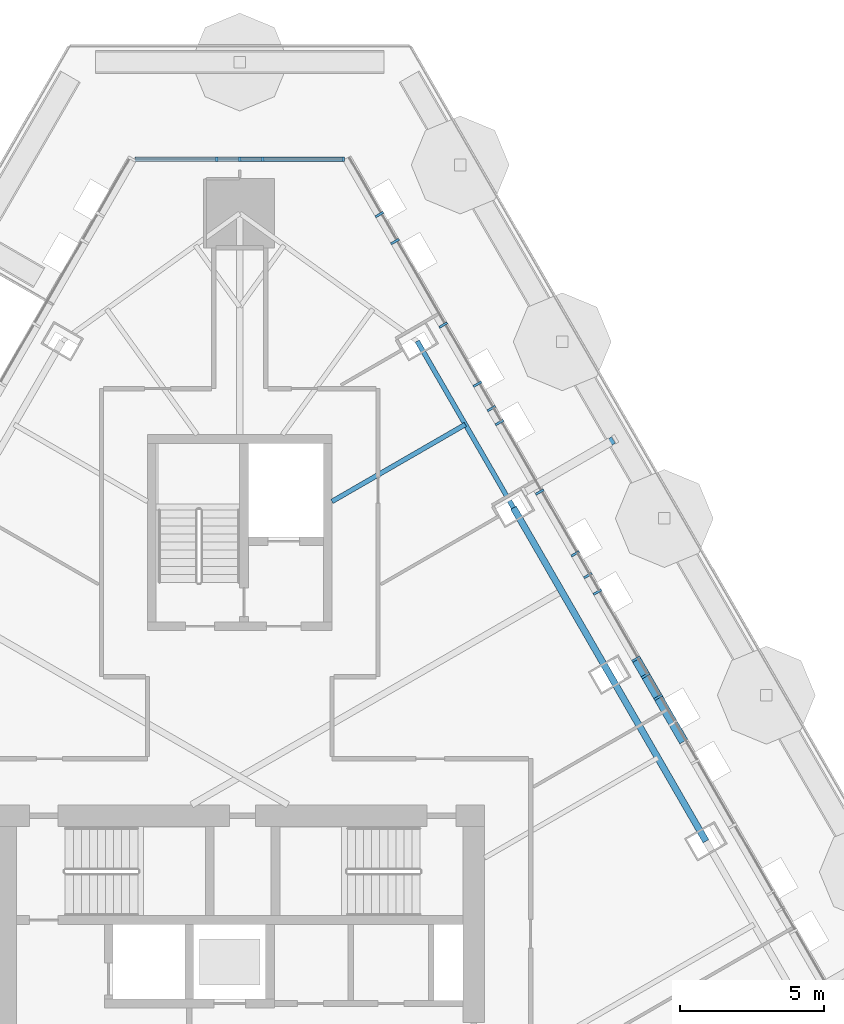
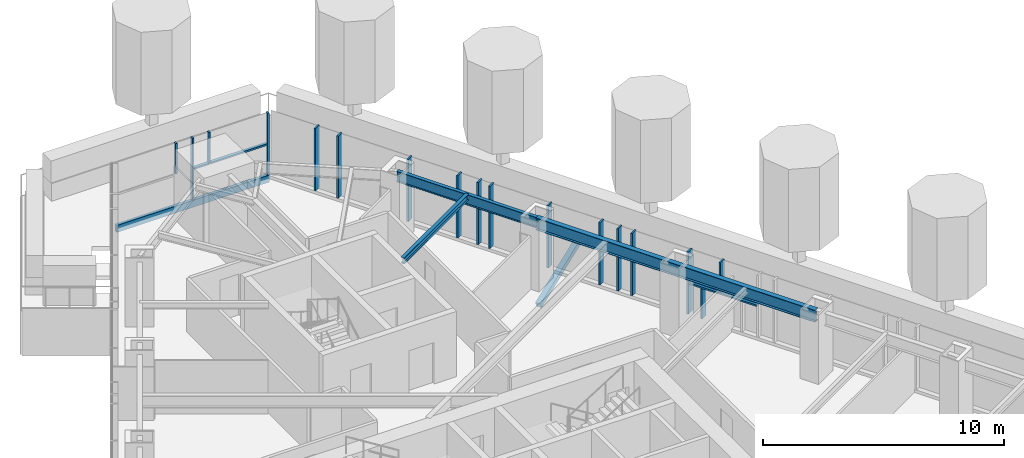
# One storey, part 7 of 24: 21 members, 3 beams, 2 elements without a shape of their own.
"""IFC4 building model written with IfcOpenShell, lengths in metres."""

from ifc_helpers import new_model, si_unit, direction, frame, origin, origin_2d, place, context, subcontext, project, spatial, rectangle, hollow_rectangle, i_section, extrude, material, layer, layer_set, material_profile, profile_set, type_object, element, aggregate, save


model = new_model("IFC4")

# Units and contexts
model_context = context("Model", 3, precision=1e-05, world=origin(), true_north=direction((0.0, 1.0)))
body_context = subcontext(model_context, "Body", "Model", "MODEL_VIEW")
ifc_project = project(units=[si_unit("LENGTHUNIT", "METRE"), si_unit("AREAUNIT", "SQUARE_METRE"), si_unit("VOLUMEUNIT", "CUBIC_METRE"), si_unit("PLANEANGLEUNIT", "RADIAN"), si_unit("MASSUNIT", "GRAM", prefix="KILO")], contexts=[model_context])

# Site, building, storey
site_placement = place(None, origin())
site = spatial("IfcSite", under=ifc_project, at=site_placement, CompositionType="ELEMENT")
building_placement = place(site_placement, origin())
building = spatial("IfcBuilding", under=site, at=building_placement, Name="Firuza Gate Tower and Library", CompositionType="ELEMENT")
storey_placement = place(building_placement, frame((0.0, 0.0, 267.10009765625)))
storey = spatial("IfcBuildingStorey", under=building, at=storey_placement, Name="L63", CompositionType="ELEMENT", Elevation=267.10009765625)

# Curtain wall, members
ifc_material_1 = material(Name="Aluminium 6063-T6", Category="aluminium")
ifc_layer_1 = layer(ifc_material_1, 0.14990234375)
ifc_layer_set_1 = layer_set([ifc_layer_1], Name="Corner curtain wall, chamfers")
curtain_wall_type_1 = type_object("IfcCurtainWallType", Name="Corner curtain wall, chamfers", PredefinedType="NOTDEFINED", material=ifc_layer_set_1)
placement = place(storey_placement, origin())
curtain_wall_1 = element("IfcCurtainWall", 1, at=placement, inside=storey, type_object=curtain_wall_type_1, Name="CW4 L63 N corner", PredefinedType="NOTDEFINED")
ifc_material_2 = material(Name="Aluminium 6063-T6", Category="aluminium")
ifc_material_profile_1 = material_profile(ifc_material_2, rectangle(XDim=0.14990234375, YDim=0.080078125, at=origin_2d()))
ifc_profile_set_1 = profile_set([ifc_material_profile_1], Name="Aluminium 6063-T6")
member_type_1 = type_object("IfcMemberType", Name="Curtain wall mullion 80x150", PredefinedType="MULLION", material=ifc_profile_set_1)
member_1_placement = place(storey_placement, frame((78.603271484375, 104.1611328125, 0.14990234375), z_axis=(0.0, 0.0, 1.0), x_axis=(0.0, -1.0, 0.0)))
member_1 = element("IfcMember", 2, at=member_1_placement, type_object=member_type_1, Name="Mullion", PredefinedType="MULLION", context=body_context, shape_type="SweptSolid", body=[
    extrude(rectangle(XDim=0.14990234375, YDim=0.080078125, at=origin_2d()), origin(), (0.0, 0.0, 1.0), 3.14990234375),
])
member_2_placement = place(storey_placement, frame((75.0, 104.1611328125, 0.14990234375), z_axis=(0.0, 0.0, 1.0), x_axis=(0.0, -1.0, 0.0)))
member_2 = element("IfcMember", 3, at=member_2_placement, type_object=member_type_1, Name="Mullion", PredefinedType="MULLION", context=body_context, shape_type="SweptSolid", body=[
    extrude(rectangle(XDim=0.14990234375, YDim=0.080078125, at=origin_2d()), origin(), (0.0, 0.0, 1.0), 3.14990234375),
])
member_3_placement = place(storey_placement, frame((75.794677734375, 104.1611328125, 1.764892578125), z_axis=(0.0, 0.0, 1.0), x_axis=(0.0, -1.0, 0.0)))
member_3 = element("IfcMember", 4, at=member_3_placement, type_object=member_type_1, Name="Mullion", PredefinedType="MULLION", context=body_context, shape_type="SweptSolid", body=[
    extrude(rectangle(XDim=0.14990234375, YDim=0.080078125, at=origin_2d()), origin(), (0.0, 0.0, 1.0), 1.534912109375),
])
member_4_placement = place(storey_placement, frame((74.205322265625, 104.1611328125, 1.764892578125), z_axis=(0.0, 0.0, 1.0), x_axis=(0.0, -1.0, 0.0)))
member_4 = element("IfcMember", 5, at=member_4_placement, type_object=member_type_1, Name="Mullion", PredefinedType="MULLION", context=body_context, shape_type="SweptSolid", body=[
    extrude(rectangle(XDim=0.14990234375, YDim=0.080078125, at=origin_2d()), origin(), (0.0, 0.0, 1.0), 1.534912109375),
])

ifc_material_3 = material(Name="Aluminium 6063-T6", Category="aluminium")
ifc_layer_2 = layer(ifc_material_3, 0.14990234375)
ifc_layer_set_2 = layer_set([ifc_layer_2], Name="Unitised curtain wall, residences")
curtain_wall_type_2 = type_object("IfcCurtainWallType", Name="Unitised curtain wall, residences", PredefinedType="NOTDEFINED", material=ifc_layer_set_2)
curtain_wall_2 = element("IfcCurtainWall", 6, at=placement, inside=storey, type_object=curtain_wall_type_2, Name="CW3 L63 E face", PredefinedType="NOTDEFINED")
ifc_material_4 = material(Name="Aluminium 6063-T6", Category="aluminium")
ifc_material_profile_2 = material_profile(ifc_material_4, rectangle(XDim=0.320068359375, YDim=0.080078125, at=origin_2d()))
ifc_profile_set_2 = profile_set([ifc_material_profile_2], Name="Aluminium 6063-T6")
member_type_2 = type_object("IfcMemberType", Name="Curtain wall mullion 80x320", PredefinedType="MULLION", material=ifc_profile_set_2)
member_5_placement = place(storey_placement, frame((88.759521484375, 86.809326171875, 0.14990234375), z_axis=(0.0, 0.0, 1.0), x_axis=(-0.866025403784, -0.5, 0.0)))
member_5 = element("IfcMember", 7, at=member_5_placement, type_object=member_type_2, Name="Mullion", PredefinedType="MULLION", context=body_context, shape_type="SweptSolid", body=[
    extrude(rectangle(XDim=0.320068359375, YDim=0.080078125, at=origin_2d()), origin(), (0.0, 0.0, 1.0), 3.14990234375),
])
member_6_placement = place(storey_placement, frame((87.085693359375, 89.70849609375, 0.14990234375), z_axis=(0.0, 0.0, 1.0), x_axis=(-0.866025403784, -0.5, 0.0)))
member_6 = element("IfcMember", 8, at=member_6_placement, type_object=member_type_2, Name="Mullion", PredefinedType="MULLION", context=body_context, shape_type="SweptSolid", body=[
    extrude(rectangle(XDim=0.320068359375, YDim=0.080078125, at=origin_2d()), origin(), (0.0, 0.0, 1.0), 3.14990234375),
])
member_7_placement = place(storey_placement, frame((85.411865234375, 92.607421875, 0.14990234375), z_axis=(0.0, 0.0, 1.0), x_axis=(-0.866025403784, -0.5, 0.0)))
member_7 = element("IfcMember", 9, at=member_7_placement, type_object=member_type_2, Name="Mullion", PredefinedType="MULLION", context=body_context, shape_type="SweptSolid", body=[
    extrude(rectangle(XDim=0.320068359375, YDim=0.080078125, at=origin_2d()), origin(), (0.0, 0.0, 1.0), 3.14990234375),
])
member_8_placement = place(storey_placement, frame((83.73828125, 95.506591796875, 0.14990234375), z_axis=(0.0, 0.0, 1.0), x_axis=(-0.866025403784, -0.5, 0.0)))
member_8 = element("IfcMember", 10, at=member_8_placement, type_object=member_type_2, Name="Mullion", PredefinedType="MULLION", context=body_context, shape_type="SweptSolid", body=[
    extrude(rectangle(XDim=0.320068359375, YDim=0.080078125, at=origin_2d()), origin(), (0.0, 0.0, 1.0), 3.14990234375),
])
member_9_placement = place(storey_placement, frame((82.064453125, 98.405517578125, 0.14990234375), z_axis=(0.0, 0.0, 1.0), x_axis=(-0.866025403784, -0.5, 0.0)))
member_9 = element("IfcMember", 11, at=member_9_placement, type_object=member_type_2, Name="Mullion", PredefinedType="MULLION", context=body_context, shape_type="SweptSolid", body=[
    extrude(rectangle(XDim=0.320068359375, YDim=0.080078125, at=origin_2d()), origin(), (0.0, 0.0, 1.0), 3.14990234375),
])
member_10_placement = place(storey_placement, frame((80.390625, 101.3046875, 0.14990234375), z_axis=(0.0, 0.0, 1.0), x_axis=(-0.866025403784, -0.5, 0.0)))
member_10 = element("IfcMember", 12, at=member_10_placement, type_object=member_type_2, Name="Mullion", PredefinedType="MULLION", context=body_context, shape_type="SweptSolid", body=[
    extrude(rectangle(XDim=0.320068359375, YDim=0.080078125, at=origin_2d()), origin(), (0.0, 0.0, 1.0), 3.14990234375),
])
member_11_placement = place(storey_placement, frame((89.08984375, 86.237060546875, 0.14990234375), z_axis=(0.0, 0.0, 1.0), x_axis=(-0.866025403784, -0.5, 0.0)))
member_11 = element("IfcMember", 13, at=member_11_placement, type_object=member_type_2, Name="Mullion", PredefinedType="MULLION", context=body_context, shape_type="SweptSolid", body=[
    extrude(rectangle(XDim=0.320068359375, YDim=0.080078125, at=origin_2d()), origin(), (0.0, 0.0, 1.0), 1.534912109375),
])
member_12_placement = place(storey_placement, frame((89.526123046875, 85.481689453125, 1.764892578125), z_axis=(0.0, 0.0, 1.0), x_axis=(-0.866025403784, -0.5, 0.0)))
member_12 = element("IfcMember", 14, at=member_12_placement, type_object=member_type_2, Name="Mullion", PredefinedType="MULLION", context=body_context, shape_type="SweptSolid", body=[
    extrude(rectangle(XDim=0.320068359375, YDim=0.080078125, at=origin_2d()), origin(), (0.0, 0.0, 1.0), 1.534912109375),
])
member_13_placement = place(storey_placement, frame((87.41748046875, 89.1337890625, 0.14990234375), z_axis=(0.0, 0.0, 1.0), x_axis=(-0.866025403784, -0.5, 0.0)))
member_13 = element("IfcMember", 15, at=member_13_placement, type_object=member_type_2, Name="Mullion", PredefinedType="MULLION", context=body_context, shape_type="SweptSolid", body=[
    extrude(rectangle(XDim=0.320068359375, YDim=0.080078125, at=origin_2d()), origin(), (0.0, 0.0, 1.0), 3.14990234375),
])
member_14_placement = place(storey_placement, frame((86.64892578125, 90.46484375, 0.14990234375), z_axis=(0.0, 0.0, 1.0), x_axis=(-0.866025403784, -0.5, 0.0)))
member_14 = element("IfcMember", 16, at=member_14_placement, type_object=member_type_2, Name="Mullion", PredefinedType="MULLION", context=body_context, shape_type="SweptSolid", body=[
    extrude(rectangle(XDim=0.320068359375, YDim=0.080078125, at=origin_2d()), origin(), (0.0, 0.0, 1.0), 3.14990234375),
])
member_15_placement = place(storey_placement, frame((84.017578125, 95.022705078125, 0.14990234375), z_axis=(0.0, 0.0, 1.0), x_axis=(-0.866025403784, -0.5, 0.0)))
member_15 = element("IfcMember", 17, at=member_15_placement, type_object=member_type_2, Name="Mullion", PredefinedType="MULLION", context=body_context, shape_type="SweptSolid", body=[
    extrude(rectangle(XDim=0.320068359375, YDim=0.080078125, at=origin_2d()), origin(), (0.0, 0.0, 1.0), 3.14990234375),
])
member_16_placement = place(storey_placement, frame((83.2490234375, 96.353759765625, 0.14990234375), z_axis=(0.0, 0.0, 1.0), x_axis=(-0.866025403784, -0.5, 0.0)))
member_16 = element("IfcMember", 18, at=member_16_placement, type_object=member_type_2, Name="Mullion", PredefinedType="MULLION", context=body_context, shape_type="SweptSolid", body=[
    extrude(rectangle(XDim=0.320068359375, YDim=0.080078125, at=origin_2d()), origin(), (0.0, 0.0, 1.0), 3.14990234375),
])
member_17_placement = place(storey_placement, frame((79.848876953125, 102.242919921875, 0.14990234375), z_axis=(0.0, 0.0, 1.0), x_axis=(-0.866025403784, -0.5, 0.0)))
member_17 = element("IfcMember", 19, at=member_17_placement, type_object=member_type_2, Name="Mullion", PredefinedType="MULLION", context=body_context, shape_type="SweptSolid", body=[
    extrude(rectangle(XDim=0.320068359375, YDim=0.080078125, at=origin_2d()), origin(), (0.0, 0.0, 1.0), 3.14990234375),
])

# Member
ifc_material_5 = material(Name="Aluminium 6063-T6", Category="aluminium")
ifc_material_profile_3 = material_profile(ifc_material_5, rectangle(XDim=0.14990234375, YDim=0.35009765625, at=origin_2d()))
ifc_profile_set_3 = profile_set([ifc_material_profile_3], Name="Aluminium 6063-T6")
member_type_3 = type_object("IfcMemberType", Name="Curtain wall transom 350x150", PredefinedType="USERDEFINED", material=ifc_profile_set_3)
member_18_placement = place(storey_placement, frame((78.643310546875, 104.1611328125, -0.025146484375), z_axis=(-1.0, 0.0, 0.0), x_axis=(0.0, -1.0, 0.0)))
member_18 = element("IfcMember", 20, at=member_18_placement, type_object=member_type_3, Name="Transom", ObjectType="TRANSOM", PredefinedType="USERDEFINED", context=body_context, shape_type="SweptSolid", body=[
    extrude(rectangle(XDim=0.14990234375, YDim=0.35009765625, at=origin_2d()), origin(), (0.0, 0.0, 1.0), 7.28662109375),
])

ifc_material_6 = material(Name="Aluminium 6063-T6", Category="aluminium")
ifc_material_profile_4 = material_profile(ifc_material_6, rectangle(XDim=0.14990234375, YDim=0.080078125, at=origin_2d()))
ifc_profile_set_4 = profile_set([ifc_material_profile_4], Name="Aluminium 6063-T6")
member_type_4 = type_object("IfcMemberType", Name="Curtain wall transom 80x150", PredefinedType="USERDEFINED", material=ifc_profile_set_4)
member_19_placement = place(storey_placement, frame((78.603271484375, 104.1611328125, 1.724853515625), z_axis=(-1.0, 0.0, 0.0), x_axis=(0.0, -1.0, 0.0)))
member_19 = element("IfcMember", 21, at=member_19_placement, type_object=member_type_4, Name="Transom", ObjectType="TRANSOM", PredefinedType="USERDEFINED", context=body_context, shape_type="SweptSolid", body=[
    extrude(rectangle(XDim=0.14990234375, YDim=0.080078125, at=origin_2d()), origin(), (0.0, 0.0, 1.0), 3.563232421875),
])

aggregate(curtain_wall_1, [member_1, member_2, member_18, member_3, member_19, member_4])

ifc_material_7 = material(Name="Aluminium 6063-T6", Category="aluminium")
ifc_material_profile_5 = material_profile(ifc_material_7, rectangle(XDim=0.320068359375, YDim=0.080078125, at=origin_2d()))
ifc_profile_set_5 = profile_set([ifc_material_profile_5], Name="Aluminium 6063-T6")
member_type_5 = type_object("IfcMemberType", Name="Curtain wall transom 80x320", PredefinedType="USERDEFINED", material=ifc_profile_set_5)
member_20_placement = place(storey_placement, frame((90.413330078125, 83.945068359375, 1.724853515625), z_axis=(-0.500028601563, 0.866008890035, 0.0), x_axis=(-0.866008890035, -0.500028601563, 0.0)))
member_20 = element("IfcMember", 22, at=member_20_placement, type_object=member_type_5, Name="Transom", ObjectType="TRANSOM", PredefinedType="USERDEFINED", context=body_context, shape_type="SweptSolid", body=[
    extrude(rectangle(XDim=0.320068359375, YDim=0.080078125, at=origin_2d()), origin(), (0.0, 0.0, 1.0), 3.267333984375),
])

aggregate(curtain_wall_2, [member_5, member_6, member_7, member_8, member_9, member_10, member_11, member_12, member_20, member_13, member_14, member_15, member_16, member_17])

ifc_material_8 = material(Name="Steel S355", Category="steel")
ifc_material_profile_6 = material_profile(ifc_material_8, hollow_rectangle(XDim=0.25390625, YDim=0.25390625, WallThickness=0.01171875, at=origin_2d()))
ifc_profile_set_6 = profile_set([ifc_material_profile_6], Name="Steel S355")
member_type_6 = type_object("IfcMemberType", Name="HSS254x254x13 Tray strut", PredefinedType="BRACE", material=ifc_profile_set_6)
member_21_placement = place(storey_placement, frame((84.903076171875, 92.638671875, -1.670166015625), z_axis=(0.807122458648, 0.466007352202, 0.362478253747), x_axis=(-0.500012057535, 0.866018442252, 0.0)))
element("IfcMember", 23, at=member_21_placement, inside=storey, type_object=member_type_6, Name="Tray strut L63 col:L62:E5", PredefinedType="BRACE", context=body_context, shape_type="SweptSolid", body=[
    extrude(hollow_rectangle(XDim=0.25390625, YDim=0.25390625, WallThickness=0.01171875, at=origin_2d()), origin(), (0.0, 0.0, 1.0), 3.86279296875),
])

# Beams
ifc_material_9 = material(Name="Steel S355", Category="steel")
ifc_material_profile_7 = material_profile(ifc_material_9, i_section(OverallWidth=0.1650390625, OverallDepth=0.31005859375, WebThickness=0.005859375, FlangeThickness=0.009765625, at=origin_2d()))
ifc_profile_set_7 = profile_set([ifc_material_profile_7], Name="Steel S355")
beam_type_1 = type_object("IfcBeamType", Name="W310x39 Floor beam", PredefinedType="JOIST", material=ifc_profile_set_7)
beam_1_placement = place(storey_placement, frame((82.83251953125, 94.955078125, 3.14501953125), z_axis=(-0.866029778435, -0.499992422807, 0.0), x_axis=(0.499992422807, -0.866029778435, 0.0)))
element("IfcBeam", 24, at=beam_1_placement, inside=storey, type_object=beam_type_1, Name="Floor beam L63 s54", PredefinedType="JOIST", context=body_context, shape_type="SweptSolid", body=[
    extrude(i_section(OverallWidth=0.1650390625, OverallDepth=0.31005859375, WebThickness=0.005859375, FlangeThickness=0.009765625, at=origin_2d()), origin(), (0.0, 0.0, 1.0), 5.34912109375),
])
ifc_material_10 = material(Name="Steel S355", Category="steel")
ifc_material_profile_8 = material_profile(ifc_material_10, i_section(OverallWidth=0.166015625, OverallDepth=0.534912109375, WebThickness=0.01025390625, FlangeThickness=0.0166015625, at=origin_2d()))
ifc_profile_set_8 = profile_set([ifc_material_profile_8], Name="Steel S355")
beam_type_2 = type_object("IfcBeamType", Name="W530x85 Edge beam", PredefinedType="SPANDREL", material=ifc_profile_set_8)
beam_2_placement = place(storey_placement, frame((84.503173828125, 92.0615234375, 3.032470703125), z_axis=(-0.499997585193, 0.866026797969, 0.0), x_axis=(-0.866026797969, -0.499997585193, 0.0)))
element("IfcBeam", 25, at=beam_2_placement, inside=storey, type_object=beam_type_2, Name="Edge beam L63 e54", PredefinedType="SPANDREL", context=body_context, shape_type="SweptSolid", body=[
    extrude(i_section(OverallWidth=0.166015625, OverallDepth=0.534912109375, WebThickness=0.01025390625, FlangeThickness=0.0166015625, at=origin_2d()), origin(), (0.0, 0.0, 1.0), 6.6826171875),
])
ifc_material_11 = material(Name="Steel S355", Category="steel")
ifc_material_profile_9 = material_profile(ifc_material_11, i_section(OverallWidth=0.22900390625, OverallDepth=0.612060546875, WebThickness=0.011962890625, FlangeThickness=0.01953125, at=origin_2d()))
ifc_profile_set_9 = profile_set([ifc_material_profile_9], Name="Steel S355")
beam_type_3 = type_object("IfcBeamType", Name="W610x125 Edge beam", PredefinedType="SPANDREL", material=ifc_profile_set_9)
beam_3_placement = place(storey_placement, frame((91.185791015625, 80.48681640625, 2.993896484375), z_axis=(-0.499997585193, 0.866026797969, 0.0), x_axis=(-0.866026797969, -0.499997585193, 0.0)))
element("IfcBeam", 26, at=beam_3_placement, inside=storey, type_object=beam_type_3, Name="Edge beam L63 e52", PredefinedType="SPANDREL", context=body_context, shape_type="SweptSolid", body=[
    extrude(i_section(OverallWidth=0.22900390625, OverallDepth=0.612060546875, WebThickness=0.011962890625, FlangeThickness=0.01953125, at=origin_2d()), origin(), (0.0, 0.0, 1.0), 13.365234375),
])

save(model, "model.ifc")
